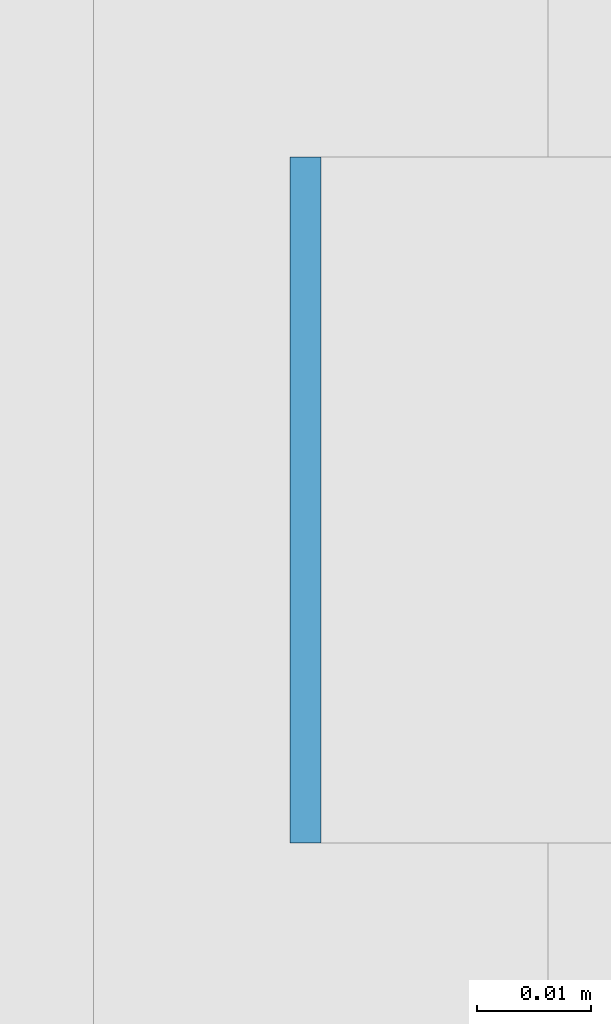
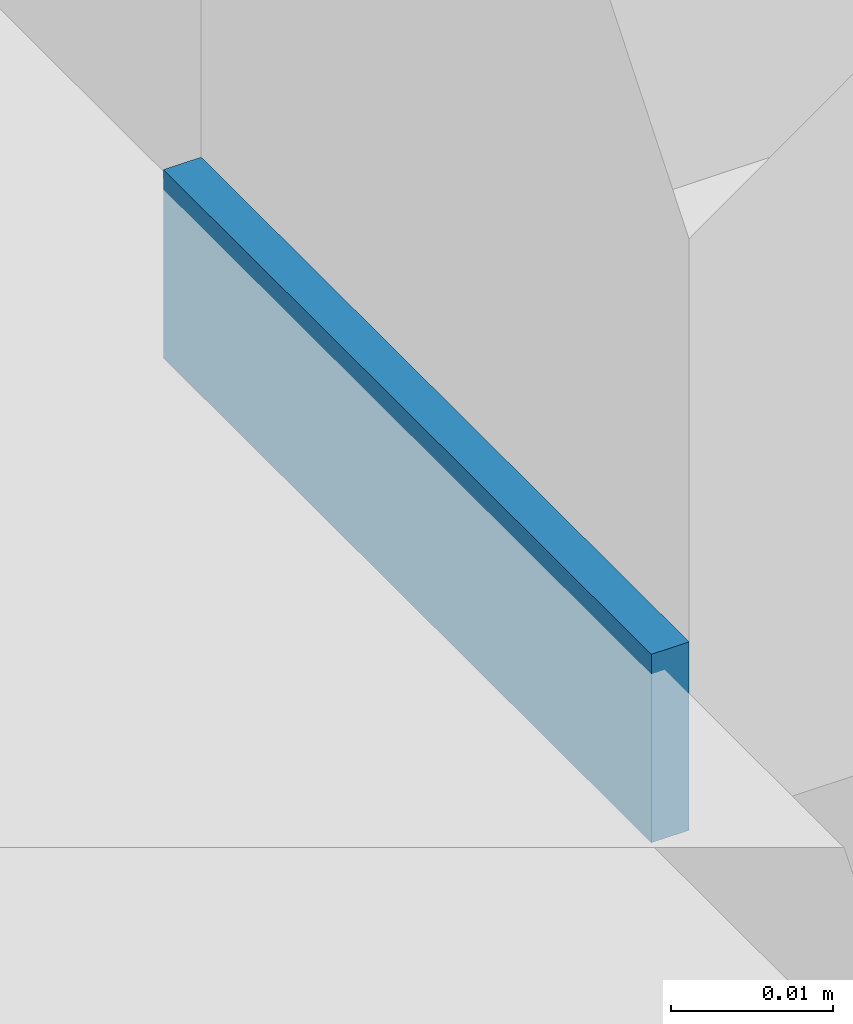
# One storey, part 470 of 646: 1 discrete accessory.
"""IFC4 building model written with IfcOpenShell, lengths in metres."""

from ifc_helpers import new_model, si_unit, direction, frame, origin, origin_2d, place, context, subcontext, project, spatial, rectangle, extrude, material, type_object, element, save


model = new_model("IFC4")

# Units and contexts
model_context = context("Model", 3, precision=1e-05, world=origin(), true_north=direction((0.0, 1.0)))
body_context = subcontext(model_context, "Body", "Model", "MODEL_VIEW")
ifc_project = project(units=[si_unit("LENGTHUNIT", "METRE"), si_unit("AREAUNIT", "SQUARE_METRE"), si_unit("VOLUMEUNIT", "CUBIC_METRE"), si_unit("PLANEANGLEUNIT", "RADIAN"), si_unit("MASSUNIT", "GRAM", prefix="KILO")], contexts=[model_context])

# Site, building, storey
site_placement = place(None, origin())
site = spatial("IfcSite", under=ifc_project, at=site_placement, CompositionType="ELEMENT")
building_placement = place(site_placement, origin())
building = spatial("IfcBuilding", under=site, at=building_placement, Name="Silverbay Arena", CompositionType="ELEMENT")
storey_placement = place(building_placement, frame((0.0, 0.0, 33.5)))
storey = spatial("IfcBuildingStorey", under=building, at=storey_placement, Name="L05", CompositionType="ELEMENT", Elevation=33.5)

# Discrete accessory
ifc_material = material(Name="Steel S355", Category="steel")
discrete_accessory_type = type_object("IfcDiscreteAccessoryType", Name="Steel bracket plate", PredefinedType="BRACKET", material=ifc_material)
discrete_accessory_placement = place(storey_placement, frame((207.128662109375, 50.142822265625, 4.0), z_axis=(0.0, 0.0, 1.0), x_axis=(1.0, 0.0, 0.0)))
element("IfcDiscreteAccessory", 1, at=discrete_accessory_placement, inside=storey, type_object=discrete_accessory_type, Name="Curtain wall packing plate", PredefinedType="BRACKET", context=body_context, shape_type="SweptSolid", body=[
    extrude(rectangle(XDim=0.002685546875, YDim=0.06005859375, at=origin_2d()), origin(), (0.0, 0.0, 1.0), 0.01416015625),
])

save(model, "model.ifc")
